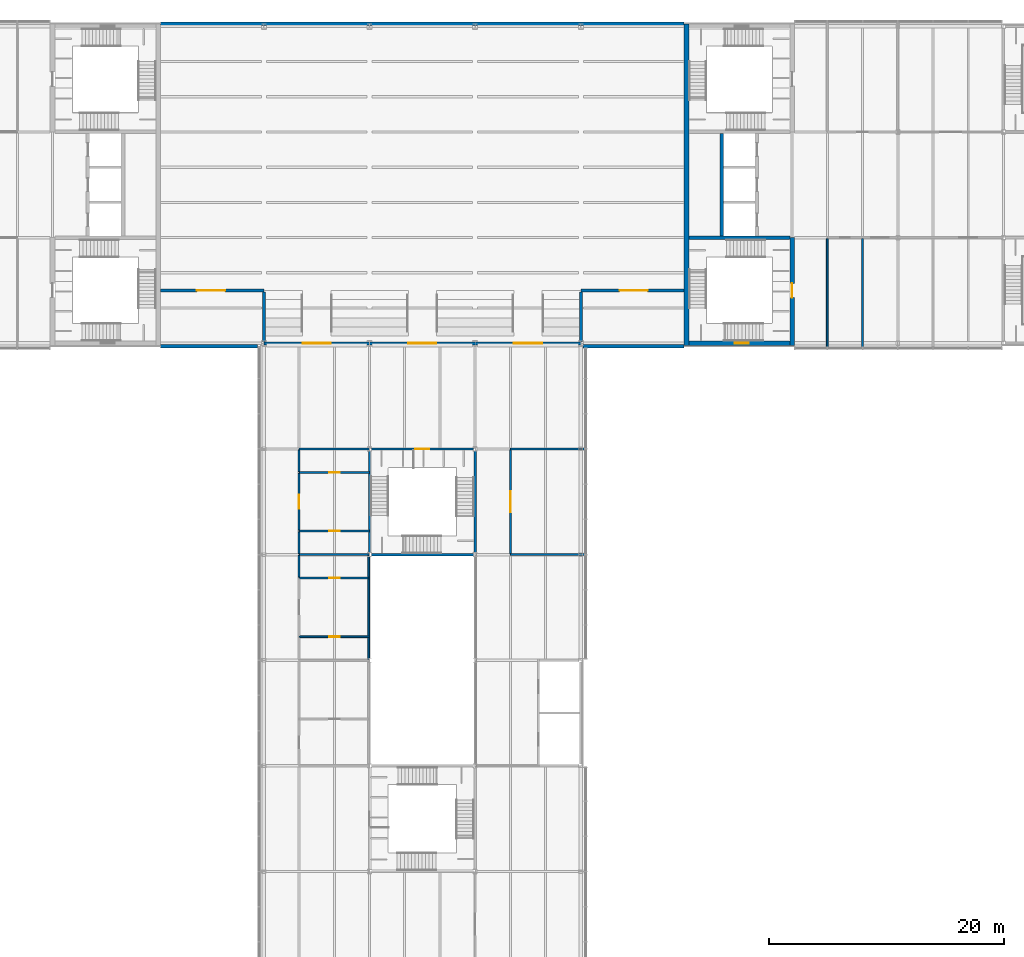
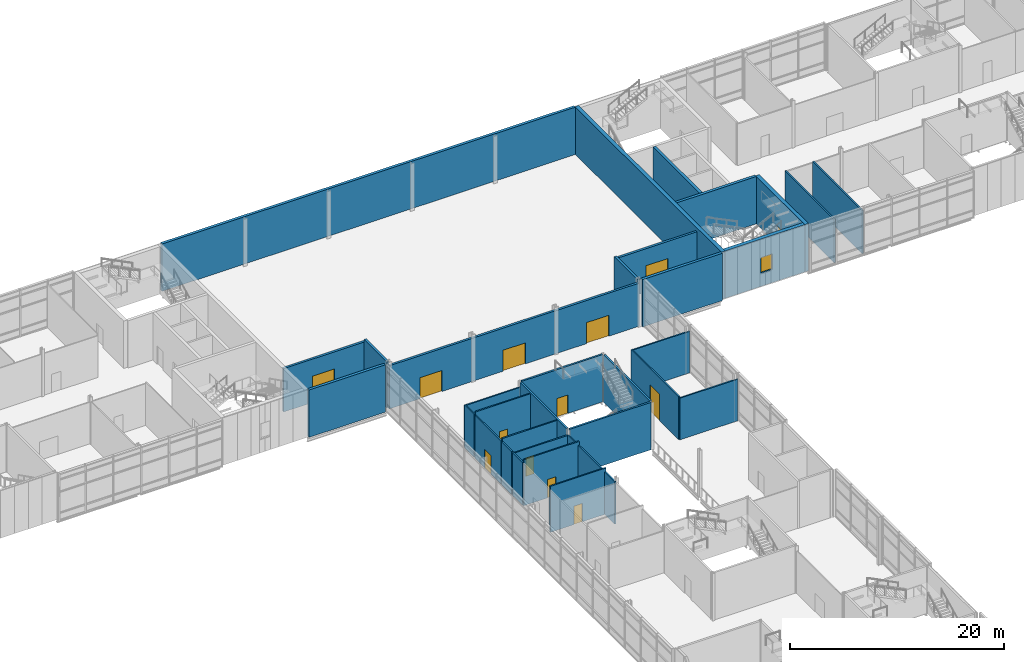
# One storey, part 37 of 52: 35 walls, 13 doors, 1 window, 14 openings.
"""IFC4 building model written with IfcOpenShell, lengths in metres."""

from ifc_helpers import new_model, si_unit, direction, frame, frame_2d, origin, place, context, subcontext, project, spatial, rectangle, extrude, material, layer, layer_set, type_object, element, fill, save


model = new_model("IFC4")

# Units and contexts
model_context = context("Model", 3, precision=1e-05, world=origin(), true_north=direction((0.0, 1.0)))
body_context = subcontext(model_context, "Body", "Model", "MODEL_VIEW")
ifc_project = project(units=[si_unit("LENGTHUNIT", "METRE"), si_unit("AREAUNIT", "SQUARE_METRE"), si_unit("VOLUMEUNIT", "CUBIC_METRE"), si_unit("PLANEANGLEUNIT", "RADIAN"), si_unit("MASSUNIT", "GRAM", prefix="KILO")], contexts=[model_context])

# Site, building, storey
site_placement = place(None, origin())
site = spatial("IfcSite", under=ifc_project, at=site_placement, CompositionType="ELEMENT")
building_placement = place(site_placement, origin())
building = spatial("IfcBuilding", under=site, at=building_placement, Name="Azimuth Sports and Learning Centre", CompositionType="ELEMENT")
storey_placement = place(building_placement, frame((0.0, 0.0, 16.199951171875)))
storey = spatial("IfcBuildingStorey", under=building, at=storey_placement, Name="L03", CompositionType="ELEMENT", Elevation=16.199951171875)

# Walls
ifc_material_1 = material(Name="Insulated cladding wall")
ifc_layer_1 = layer(ifc_material_1, 0.300048828125)
ifc_layer_set_1 = layer_set([ifc_layer_1], Name="Insulated cladding wall")
wall_type_1 = type_object("IfcWallType", Name="Hall cladding wall 300", PredefinedType="SOLIDWALL", material=ifc_layer_set_1)
wall_1_placement = place(storey_placement, frame((63.199951171875, 89.760009765625, 0.0), z_axis=(0.0, 0.0, 1.0), x_axis=(1.0, 0.0, 0.0)))
element("IfcWall", 1, at=wall_1_placement, inside=storey, type_object=wall_type_1, Name="Hall wall S-HALL W L03", PredefinedType="SOLIDWALL", context=body_context, shape_type="SweptSolid", body=[
    extrude(rectangle(XDim=8.260009765625, YDim=0.300048828125, at=frame_2d((4.1298828125, 0.0))), origin(), (0.0, 0.0, 1.0), 5.400146484375),
])
wall_2_placement = place(storey_placement, frame((99.199951171875, 89.760009765625, 0.0), z_axis=(0.0, 0.0, 1.0), x_axis=(1.0, 0.0, 0.0)))
element("IfcWall", 2, at=wall_2_placement, inside=storey, type_object=wall_type_1, Name="Hall wall S-HALL E L03", PredefinedType="SOLIDWALL", context=body_context, shape_type="SweptSolid", body=[
    extrude(rectangle(XDim=8.60009765625, YDim=0.300048828125, at=frame_2d((4.300048828125, 0.0))), origin(), (0.0, 0.0, 1.0), 5.400146484375),
])
wall_3_placement = place(storey_placement, frame((107.800048828125, 117.239990234375, 0.0), z_axis=(0.0, 0.0, 1.0), x_axis=(-1.0, 0.0, 0.0)))
element("IfcWall", 3, at=wall_3_placement, inside=storey, type_object=wall_type_1, Name="Hall wall N-HALL L03", PredefinedType="SOLIDWALL", context=body_context, shape_type="SweptSolid", body=[
    extrude(rectangle(XDim=44.60009765625, YDim=0.300048828125, at=frame_2d((22.300048828125, 0.0))), origin(), (0.0, 0.0, 1.0), 5.400146484375),
])

# Wall, openings, doors
ifc_material_2 = material(Name="Reinforced masonry blockwork", Category="masonry")
ifc_layer_2 = layer(ifc_material_2, 0.25)
ifc_layer_set_2 = layer_set([ifc_layer_2], Name="Reinforced masonry blockwork")
wall_type_2 = type_object("IfcWallType", Name="Hall wall 250 EI 60", PredefinedType="SOLIDWALL", material=ifc_layer_set_2)
wall_4_placement = place(storey_placement, frame((72.0, 90.0, 0.0), z_axis=(0.0, 0.0, 1.0), x_axis=(1.0, 0.0, 0.0)))
wall_4 = element("IfcWall", 4, at=wall_4_placement, inside=storey, type_object=wall_type_2, Name="Hall wall 250 EI 60", PredefinedType="SOLIDWALL", context=body_context, shape_type="SweptSolid", body=[
    extrude(rectangle(XDim=27.0, YDim=0.25, at=frame_2d((13.5, 0.0))), origin(), (0.0, 0.0, 1.0), 4.920166015625),
])
opening_1_placement = place(wall_4_placement, frame((3.300048828125, 0.0, 0.0)))
opening_1 = element("IfcOpeningElement", 5, at=opening_1_placement, cuts=wall_4, Name="Opening D03-066", PredefinedType="OPENING", context=body_context, shape_type="SweptSolid", body=[
    extrude(rectangle(XDim=2.39990234375, YDim=2.39990234375, at=frame_2d((1.199951171875, 1.199951171875))), frame((0.0, 0.135986328125, 0.0), z_axis=(0.0, -1.0, 0.0), x_axis=(1.0, 0.0, 0.0)), (0.0, 0.0, 1.0), 0.27197265625),
])
opening_2_placement = place(wall_4_placement, frame((12.300048828125, 0.0, 0.0)))
opening_2 = element("IfcOpeningElement", 6, at=opening_2_placement, cuts=wall_4, Name="Opening D03-067", PredefinedType="OPENING", context=body_context, shape_type="SweptSolid", body=[
    extrude(rectangle(XDim=2.39990234375, YDim=2.39990234375, at=frame_2d((1.199951171875, 1.199951171875))), frame((0.0, 0.135986328125, 0.0), z_axis=(0.0, -1.0, 0.0), x_axis=(1.0, 0.0, 0.0)), (0.0, 0.0, 1.0), 0.27197265625),
])
opening_3_placement = place(wall_4_placement, frame((21.300048828125, 0.0, 0.0)))
opening_3 = element("IfcOpeningElement", 7, at=opening_3_placement, cuts=wall_4, Name="Opening D03-068", PredefinedType="OPENING", context=body_context, shape_type="SweptSolid", body=[
    extrude(rectangle(XDim=2.39990234375, YDim=2.39990234375, at=frame_2d((1.199951171875, 1.199951171875))), frame((0.0, 0.135986328125, 0.0), z_axis=(0.0, -1.0, 0.0), x_axis=(1.0, 0.0, 0.0)), (0.0, 0.0, 1.0), 0.27197265625),
])
ifc_material_3 = material(Name="Steel fire door set", Category="steel")
door_type_1 = type_object("IfcDoorType", Name="Steel door double 2400x2400 FD60", OperationType="DOUBLE_DOOR_SINGLE_SWING", PredefinedType="DOOR", material=ifc_material_3)
door_1_placement = place(opening_1_placement, frame((2.39990234375, 0.0, 0.0), z_axis=(0.0, 0.0, 1.0), x_axis=(-1.0, 0.0, 0.0)))
door_1 = element("IfcDoor", 8, at=door_1_placement, inside=storey, type_object=door_type_1, Name="Door D03-066", OperationType="DOUBLE_DOOR_SINGLE_SWING", OverallHeight=2.39990234375, OverallWidth=2.39990234375, PredefinedType="DOOR", context=body_context, shape_type="SweptSolid", body=[
    extrude(rectangle(XDim=2.39990234375, YDim=2.39990234375, at=frame_2d((1.199951171875, 1.199951171875))), frame((0.0, 0.02490234375, 0.0), z_axis=(0.0, -1.0, 0.0), x_axis=(1.0, 0.0, 0.0)), (0.0, 0.0, 1.0), 0.050048828125),
])
fill(opening_1, door_1)
door_2_placement = place(opening_2_placement, frame((2.39990234375, 0.0, 0.0), z_axis=(0.0, 0.0, 1.0), x_axis=(-1.0, 0.0, 0.0)))
door_2 = element("IfcDoor", 9, at=door_2_placement, inside=storey, type_object=door_type_1, Name="Door D03-067", OperationType="DOUBLE_DOOR_SINGLE_SWING", OverallHeight=2.39990234375, OverallWidth=2.39990234375, PredefinedType="DOOR", context=body_context, shape_type="SweptSolid", body=[
    extrude(rectangle(XDim=2.39990234375, YDim=2.39990234375, at=frame_2d((1.199951171875, 1.199951171875))), frame((0.0, 0.02490234375, 0.0), z_axis=(0.0, -1.0, 0.0), x_axis=(1.0, 0.0, 0.0)), (0.0, 0.0, 1.0), 0.050048828125),
])
fill(opening_2, door_2)
door_3_placement = place(opening_3_placement, frame((2.39990234375, 0.0, 0.0), z_axis=(0.0, 0.0, 1.0), x_axis=(-1.0, 0.0, 0.0)))
door_3 = element("IfcDoor", 10, at=door_3_placement, inside=storey, type_object=door_type_1, Name="Door D03-068", OperationType="DOUBLE_DOOR_SINGLE_SWING", OverallHeight=2.39990234375, OverallWidth=2.39990234375, PredefinedType="DOOR", context=body_context, shape_type="SweptSolid", body=[
    extrude(rectangle(XDim=2.39990234375, YDim=2.39990234375, at=frame_2d((1.199951171875, 1.199951171875))), frame((0.0, 0.02490234375, 0.0), z_axis=(0.0, -1.0, 0.0), x_axis=(1.0, 0.0, 0.0)), (0.0, 0.0, 1.0), 0.050048828125),
])
fill(opening_3, door_3)

# Wall, opening, door
wall_5_placement = place(storey_placement, frame((63.199951171875, 94.5, 0.0), z_axis=(0.0, 0.0, 1.0), x_axis=(1.0, 0.0, 0.0)))
wall_5 = element("IfcWall", 11, at=wall_5_placement, inside=storey, type_object=wall_type_2, Name="Hall wall 250 EI 60", PredefinedType="SOLIDWALL", context=body_context, shape_type="SweptSolid", body=[
    extrude(rectangle(XDim=8.800048828125, YDim=0.25, at=frame_2d((4.39990234375, 0.0))), origin(), (0.0, 0.0, 1.0), 4.949951171875),
])
opening_4_placement = place(wall_5_placement, frame((3.10009765625, 0.0, 0.0)))
opening_4 = element("IfcOpeningElement", 12, at=opening_4_placement, cuts=wall_5, Name="Opening D03-072", PredefinedType="OPENING", context=body_context, shape_type="SweptSolid", body=[
    extrude(rectangle(XDim=2.39990234375, YDim=3.0, at=frame_2d((1.199951171875, 1.5))), frame((0.0, 0.135986328125, 0.0), z_axis=(0.0, -1.0, 0.0), x_axis=(1.0, 0.0, 0.0)), (0.0, 0.0, 1.0), 0.27197265625),
])
ifc_material_4 = material(Name="Timber fire door set", Category="wood")
door_type_2 = type_object("IfcDoorType", Name="Timber door double 2400x3000 FD60", OperationType="DOUBLE_DOOR_SINGLE_SWING", PredefinedType="DOOR", material=ifc_material_4)
door_4_placement = place(opening_4_placement, frame((2.39990234375, 0.0, 0.0), z_axis=(0.0, 0.0, 1.0), x_axis=(-1.0, 0.0, 0.0)))
door_4 = element("IfcDoor", 13, at=door_4_placement, inside=storey, type_object=door_type_2, Name="Door D03-072", OperationType="DOUBLE_DOOR_SINGLE_SWING", OverallHeight=3.0, OverallWidth=2.39990234375, PredefinedType="DOOR", context=body_context, shape_type="SweptSolid", body=[
    extrude(rectangle(XDim=2.39990234375, YDim=3.0, at=frame_2d((1.199951171875, 1.5))), frame((0.0, 0.02490234375, 0.0), z_axis=(0.0, -1.0, 0.0), x_axis=(1.0, 0.0, 0.0)), (0.0, 0.0, 1.0), 0.050048828125),
])
fill(opening_4, door_4)

wall_6_placement = place(storey_placement, frame((99.0, 94.5, 0.0), z_axis=(0.0, 0.0, 1.0), x_axis=(1.0, 0.0, 0.0)))
wall_6 = element("IfcWall", 14, at=wall_6_placement, inside=storey, type_object=wall_type_2, Name="Hall wall 250 EI 60", PredefinedType="SOLIDWALL", context=body_context, shape_type="SweptSolid", body=[
    extrude(rectangle(XDim=8.800048828125, YDim=0.25, at=frame_2d((4.39990234375, 0.0))), origin(), (0.0, 0.0, 1.0), 4.949951171875),
])
opening_5_placement = place(wall_6_placement, frame((3.300048828125, 0.0, 0.0)))
opening_5 = element("IfcOpeningElement", 15, at=opening_5_placement, cuts=wall_6, Name="Opening D03-073", PredefinedType="OPENING", context=body_context, shape_type="SweptSolid", body=[
    extrude(rectangle(XDim=2.39990234375, YDim=3.0, at=frame_2d((1.199951171875, 1.5))), frame((0.0, 0.135986328125, 0.0), z_axis=(0.0, -1.0, 0.0), x_axis=(1.0, 0.0, 0.0)), (0.0, 0.0, 1.0), 0.27197265625),
])
door_5_placement = place(opening_5_placement, frame((2.39990234375, 0.0, 0.0), z_axis=(0.0, 0.0, 1.0), x_axis=(-1.0, 0.0, 0.0)))
door_5 = element("IfcDoor", 16, at=door_5_placement, inside=storey, type_object=door_type_2, Name="Door D03-073", OperationType="DOUBLE_DOOR_SINGLE_SWING", OverallHeight=3.0, OverallWidth=2.39990234375, PredefinedType="DOOR", context=body_context, shape_type="SweptSolid", body=[
    extrude(rectangle(XDim=2.39990234375, YDim=3.0, at=frame_2d((1.199951171875, 1.5))), frame((0.0, 0.02490234375, 0.0), z_axis=(0.0, -1.0, 0.0), x_axis=(1.0, 0.0, 0.0)), (0.0, 0.0, 1.0), 0.050048828125),
])
fill(opening_5, door_5)

# Walls
for number, where, z_axis, x_axis, name in (
    (17, (72.0, 90.125, 0.0), (0.0, 0.0, 1.0), (0.0, 1.0, 0.0), "Hall wall 250 EI 60"),
    (18, (99.0, 90.125, 0.0), (0.0, 0.0, 1.0), (0.0, 1.0, 0.0), "Hall wall 250 EI 60"),
):
    element("IfcWall", number, at=place(storey_placement, frame(where, z_axis=z_axis, x_axis=x_axis)), inside=storey, type_object=wall_type_2, Name=name, PredefinedType="SOLIDWALL", context=body_context, shape_type="SweptSolid", body=[
        extrude(rectangle(XDim=4.25, YDim=0.25, at=frame_2d((2.125, 0.0))), origin(), (0.0, 0.0, 1.0), 5.25),
    ])

# Wall, opening, door
ifc_material_5 = material(Name="Lightweight blockwork, rendered", Category="masonry")
ifc_layer_3 = layer(ifc_material_5, 0.14990234375)
ifc_layer_set_3 = layer_set([ifc_layer_3], Name="Lightweight blockwork, rendered")
wall_type_3 = type_object("IfcWallType", Name="Partition 150 EI 60", PredefinedType="PARTITIONING", material=ifc_layer_set_3)
wall_7_placement = place(storey_placement, frame((75.0, 65.0, 0.0), z_axis=(0.0, 0.0, 1.0), x_axis=(1.0, 0.0, 0.0)))
wall_7 = element("IfcWall", 19, at=wall_7_placement, inside=storey, type_object=wall_type_3, Name="Partition 150 EI 60", PredefinedType="PARTITIONING", context=body_context, shape_type="SweptSolid", body=[
    extrude(rectangle(XDim=6.0, YDim=0.14990234375, at=frame_2d((3.0, 0.0))), origin(), (0.0, 0.0, 1.0), 5.25),
])
opening_6_placement = place(wall_7_placement, frame((2.550048828125, 0.0, 0.0)))
opening_6 = element("IfcOpeningElement", 20, at=opening_6_placement, cuts=wall_7, Name="Opening D03-059", PredefinedType="OPENING", context=body_context, shape_type="SweptSolid", body=[
    extrude(rectangle(XDim=0.89990234375, YDim=2.10009765625, at=frame_2d((0.449951171875, 1.050048828125))), frame((0.0, 0.0859375, 0.0), z_axis=(0.0, -1.0, 0.0), x_axis=(1.0, 0.0, 0.0)), (0.0, 0.0, 1.0), 0.171875),
])
ifc_material_6 = material(Name="Timber fire door set", Category="wood")
door_type_3 = type_object("IfcDoorType", Name="Timber door single 900x2100 FD60", OperationType="NOTDEFINED", PredefinedType="DOOR", material=ifc_material_6)
door_6_placement = place(opening_6_placement, frame((0.89990234375, 0.0, 0.0), z_axis=(0.0, 0.0, 1.0), x_axis=(-1.0, 0.0, 0.0)))
door_6 = element("IfcDoor", 21, at=door_6_placement, inside=storey, type_object=door_type_3, Name="Door D03-059", OperationType="SINGLE_SWING_LEFT", OverallHeight=2.10009765625, OverallWidth=0.89990234375, PredefinedType="DOOR", context=body_context, shape_type="SweptSolid", body=[
    extrude(rectangle(XDim=0.89990234375, YDim=2.10009765625, at=frame_2d((0.449951171875, 1.050048828125))), frame((0.0, 0.02490234375, 0.0), z_axis=(0.0, -1.0, 0.0), x_axis=(1.0, 0.0, 0.0)), (0.0, 0.0, 1.0), 0.050048828125),
])
fill(opening_6, door_6)

wall_8_placement = place(storey_placement, frame((75.0, 70.0, 0.0), z_axis=(0.0, 0.0, 1.0), x_axis=(1.0, 0.0, 0.0)))
wall_8 = element("IfcWall", 22, at=wall_8_placement, inside=storey, type_object=wall_type_3, Name="Partition 150 EI 60", PredefinedType="PARTITIONING", context=body_context, shape_type="SweptSolid", body=[
    extrude(rectangle(XDim=6.0, YDim=0.14990234375, at=frame_2d((3.0, 0.0))), origin(), (0.0, 0.0, 1.0), 5.25),
])
opening_7_placement = place(wall_8_placement, frame((2.550048828125, 0.0, 0.0)))
opening_7 = element("IfcOpeningElement", 23, at=opening_7_placement, cuts=wall_8, Name="Opening D03-061", PredefinedType="OPENING", context=body_context, shape_type="SweptSolid", body=[
    extrude(rectangle(XDim=0.89990234375, YDim=2.10009765625, at=frame_2d((0.449951171875, 1.050048828125))), frame((0.0, 0.0859375, 0.0), z_axis=(0.0, -1.0, 0.0), x_axis=(1.0, 0.0, 0.0)), (0.0, 0.0, 1.0), 0.171875),
])
door_7_placement = place(opening_7_placement, origin())
door_7 = element("IfcDoor", 24, at=door_7_placement, inside=storey, type_object=door_type_3, Name="Door D03-061", OperationType="SINGLE_SWING_RIGHT", OverallHeight=2.10009765625, OverallWidth=0.89990234375, PredefinedType="DOOR", context=body_context, shape_type="SweptSolid", body=[
    extrude(rectangle(XDim=0.89990234375, YDim=2.10009765625, at=frame_2d((0.449951171875, 1.050048828125))), frame((0.0, 0.02490234375, 0.0), z_axis=(0.0, -1.0, 0.0), x_axis=(1.0, 0.0, 0.0)), (0.0, 0.0, 1.0), 0.050048828125),
])
fill(opening_7, door_7)

# Walls
wall_9_placement = place(storey_placement, frame((75.0, 72.0, 0.0), z_axis=(0.0, 0.0, 1.0), x_axis=(1.0, 0.0, 0.0)))
element("IfcWall", 25, at=wall_9_placement, inside=storey, type_object=wall_type_3, Name="Partition 150 EI 60", PredefinedType="PARTITIONING", context=body_context, shape_type="SweptSolid", body=[
    extrude(rectangle(XDim=6.0, YDim=0.14990234375, at=frame_2d((3.0, 0.0))), origin(), (0.0, 0.0, 1.0), 4.75),
])
wall_10_placement = place(storey_placement, frame((93.0, 72.0, 0.0), z_axis=(0.0, 0.0, 1.0), x_axis=(1.0, 0.0, 0.0)))
element("IfcWall", 26, at=wall_10_placement, inside=storey, type_object=wall_type_3, Name="Partition 150 EI 60", PredefinedType="PARTITIONING", context=body_context, shape_type="SweptSolid", body=[
    extrude(rectangle(XDim=6.300048828125, YDim=0.14990234375, at=frame_2d((3.14990234375, 0.0))), origin(), (0.0, 0.0, 1.0), 4.75),
])

# Wall, opening, door
wall_11_placement = place(storey_placement, frame((75.0, 74.0, 0.0), z_axis=(0.0, 0.0, 1.0), x_axis=(1.0, 0.0, 0.0)))
wall_11 = element("IfcWall", 27, at=wall_11_placement, inside=storey, type_object=wall_type_3, Name="Partition 150 EI 60", PredefinedType="PARTITIONING", context=body_context, shape_type="SweptSolid", body=[
    extrude(rectangle(XDim=6.0, YDim=0.14990234375, at=frame_2d((3.0, 0.0))), origin(), (0.0, 0.0, 1.0), 5.25),
])
opening_8_placement = place(wall_11_placement, frame((2.550048828125, 0.0, 0.0)))
opening_8 = element("IfcOpeningElement", 28, at=opening_8_placement, cuts=wall_11, Name="Opening D03-062", PredefinedType="OPENING", context=body_context, shape_type="SweptSolid", body=[
    extrude(rectangle(XDim=0.89990234375, YDim=2.10009765625, at=frame_2d((0.449951171875, 1.050048828125))), frame((0.0, 0.0859375, 0.0), z_axis=(0.0, -1.0, 0.0), x_axis=(1.0, 0.0, 0.0)), (0.0, 0.0, 1.0), 0.171875),
])
door_8_placement = place(opening_8_placement, frame((0.89990234375, 0.0, 0.0), z_axis=(0.0, 0.0, 1.0), x_axis=(-1.0, 0.0, 0.0)))
door_8 = element("IfcDoor", 29, at=door_8_placement, inside=storey, type_object=door_type_3, Name="Door D03-062", OperationType="SINGLE_SWING_RIGHT", OverallHeight=2.10009765625, OverallWidth=0.89990234375, PredefinedType="DOOR", context=body_context, shape_type="SweptSolid", body=[
    extrude(rectangle(XDim=0.89990234375, YDim=2.10009765625, at=frame_2d((0.449951171875, 1.050048828125))), frame((0.0, 0.02490234375, 0.0), z_axis=(0.0, -1.0, 0.0), x_axis=(1.0, 0.0, 0.0)), (0.0, 0.0, 1.0), 0.050048828125),
])
fill(opening_8, door_8)

wall_12_placement = place(storey_placement, frame((75.0, 79.0, 0.0), z_axis=(0.0, 0.0, 1.0), x_axis=(1.0, 0.0, 0.0)))
wall_12 = element("IfcWall", 30, at=wall_12_placement, inside=storey, type_object=wall_type_3, Name="Partition 150 EI 60", PredefinedType="PARTITIONING", context=body_context, shape_type="SweptSolid", body=[
    extrude(rectangle(XDim=6.0, YDim=0.14990234375, at=frame_2d((3.0, 0.0))), origin(), (0.0, 0.0, 1.0), 5.25),
])
opening_9_placement = place(wall_12_placement, frame((2.550048828125, 0.0, 0.0)))
opening_9 = element("IfcOpeningElement", 31, at=opening_9_placement, cuts=wall_12, Name="Opening D03-064", PredefinedType="OPENING", context=body_context, shape_type="SweptSolid", body=[
    extrude(rectangle(XDim=0.89990234375, YDim=2.10009765625, at=frame_2d((0.449951171875, 1.050048828125))), frame((0.0, 0.0859375, 0.0), z_axis=(0.0, -1.0, 0.0), x_axis=(1.0, 0.0, 0.0)), (0.0, 0.0, 1.0), 0.171875),
])
door_9_placement = place(opening_9_placement, origin())
door_9 = element("IfcDoor", 32, at=door_9_placement, inside=storey, type_object=door_type_3, Name="Door D03-064", OperationType="SINGLE_SWING_LEFT", OverallHeight=2.10009765625, OverallWidth=0.89990234375, PredefinedType="DOOR", context=body_context, shape_type="SweptSolid", body=[
    extrude(rectangle(XDim=0.89990234375, YDim=2.10009765625, at=frame_2d((0.449951171875, 1.050048828125))), frame((0.0, 0.02490234375, 0.0), z_axis=(0.0, -1.0, 0.0), x_axis=(1.0, 0.0, 0.0)), (0.0, 0.0, 1.0), 0.050048828125),
])
fill(opening_9, door_9)

# Walls
wall_13_placement = place(storey_placement, frame((75.0, 81.0, 0.0), z_axis=(0.0, 0.0, 1.0), x_axis=(1.0, 0.0, 0.0)))
element("IfcWall", 33, at=wall_13_placement, inside=storey, type_object=wall_type_3, Name="Partition 150 EI 60", PredefinedType="PARTITIONING", context=body_context, shape_type="SweptSolid", body=[
    extrude(rectangle(XDim=6.0, YDim=0.14990234375, at=frame_2d((3.0, 0.0))), origin(), (0.0, 0.0, 1.0), 4.75),
])
wall_14_placement = place(storey_placement, frame((93.0, 81.0, 0.0), z_axis=(0.0, 0.0, 1.0), x_axis=(1.0, 0.0, 0.0)))
element("IfcWall", 34, at=wall_14_placement, inside=storey, type_object=wall_type_3, Name="Partition 150 EI 60", PredefinedType="PARTITIONING", context=body_context, shape_type="SweptSolid", body=[
    extrude(rectangle(XDim=6.300048828125, YDim=0.14990234375, at=frame_2d((3.14990234375, 0.0))), origin(), (0.0, 0.0, 1.0), 4.75),
])
for number, where, z_axis, x_axis, name in (
    (35, (75.0, 70.074951171875, 0.0), (0.0, 0.0, 1.0), (0.0, 1.0, 0.0), "Partition 150 EI 60"),
    (36, (75.0, 72.074951171875, 0.0), (0.0, 0.0, 1.0), (0.0, 1.0, 0.0), "Partition 150 EI 60"),
):
    element("IfcWall", number, at=place(storey_placement, frame(where, z_axis=z_axis, x_axis=x_axis)), inside=storey, type_object=wall_type_3, Name=name, PredefinedType="PARTITIONING", context=body_context, shape_type="SweptSolid", body=[
        extrude(rectangle(XDim=1.85009765625, YDim=0.14990234375, at=frame_2d((0.925048828125, 0.0))), origin(), (0.0, 0.0, 1.0), 4.89013671875),
    ])

# Wall, opening, door
wall_15_placement = place(storey_placement, frame((75.0, 74.074951171875, 0.0), z_axis=(0.0, 0.0, 1.0), x_axis=(0.0, 1.0, 0.0)))
wall_15 = element("IfcWall", 37, at=wall_15_placement, inside=storey, type_object=wall_type_3, Name="Partition 150 EI 60", PredefinedType="PARTITIONING", context=body_context, shape_type="SweptSolid", body=[
    extrude(rectangle(XDim=4.85009765625, YDim=0.14990234375, at=frame_2d((2.425048828125, 0.0))), origin(), (0.0, 0.0, 1.0), 4.89013671875),
])
opening_10_placement = place(wall_15_placement, frame((1.824951171875, 0.0, 0.0)))
opening_10 = element("IfcOpeningElement", 38, at=opening_10_placement, cuts=wall_15, Name="Opening D03-063", PredefinedType="OPENING", context=body_context, shape_type="SweptSolid", body=[
    extrude(rectangle(XDim=1.199951171875, YDim=2.10009765625, at=frame_2d((0.60009765625, 1.050048828125))), frame((0.0, 0.0859375, 0.0), z_axis=(0.0, -1.0, 0.0), x_axis=(1.0, 0.0, 0.0)), (0.0, 0.0, 1.0), 0.171875),
])
ifc_material_7 = material(Name="Timber fire door set", Category="wood")
door_type_4 = type_object("IfcDoorType", Name="Timber door single 1200x2100 FD60", OperationType="NOTDEFINED", PredefinedType="DOOR", material=ifc_material_7)
door_10_placement = place(opening_10_placement, frame((1.199951171875, 0.0, 0.0), z_axis=(0.0, 0.0, 1.0), x_axis=(-1.0, 0.0, 0.0)))
door_10 = element("IfcDoor", 39, at=door_10_placement, inside=storey, type_object=door_type_4, Name="Door D03-063", OperationType="SINGLE_SWING_LEFT", OverallHeight=2.10009765625, OverallWidth=1.199951171875, PredefinedType="DOOR", context=body_context, shape_type="SweptSolid", body=[
    extrude(rectangle(XDim=1.199951171875, YDim=2.10009765625, at=frame_2d((0.60009765625, 1.050048828125))), frame((0.0, 0.02490234375, 0.0), z_axis=(0.0, -1.0, 0.0), x_axis=(1.0, 0.0, 0.0)), (0.0, 0.0, 1.0), 0.050048828125),
])
fill(opening_10, door_10)

# Walls
wall_16_placement = place(storey_placement, frame((75.0, 79.074951171875, 0.0), z_axis=(0.0, 0.0, 1.0), x_axis=(0.0, 1.0, 0.0)))
element("IfcWall", 40, at=wall_16_placement, inside=storey, type_object=wall_type_3, Name="Partition 150 EI 60", PredefinedType="PARTITIONING", context=body_context, shape_type="SweptSolid", body=[
    extrude(rectangle(XDim=1.85009765625, YDim=0.14990234375, at=frame_2d((0.925048828125, 0.0))), origin(), (0.0, 0.0, 1.0), 4.89013671875),
])
wall_17_placement = place(storey_placement, frame((80.925048828125, 63.074951171875, 0.0), z_axis=(0.0, 0.0, 1.0), x_axis=(0.0, 1.0, 0.0)))
element("IfcWall", 41, at=wall_17_placement, inside=storey, type_object=wall_type_3, Name="Partition 150 EI 60", PredefinedType="PARTITIONING", context=body_context, shape_type="SweptSolid", body=[
    extrude(rectangle(XDim=1.85009765625, YDim=0.14990234375, at=frame_2d((0.925048828125, 0.0))), origin(), (0.0, 0.0, 1.0), 4.85009765625),
])
wall_18_placement = place(storey_placement, frame((80.925048828125, 65.074951171875, 0.0), z_axis=(0.0, 0.0, 1.0), x_axis=(0.0, 1.0, 0.0)))
element("IfcWall", 42, at=wall_18_placement, inside=storey, type_object=wall_type_3, Name="Partition 150 EI 60", PredefinedType="PARTITIONING", context=body_context, shape_type="SweptSolid", body=[
    extrude(rectangle(XDim=4.85009765625, YDim=0.14990234375, at=frame_2d((2.425048828125, 0.0))), origin(), (0.0, 0.0, 1.0), 4.85009765625),
])
wall_19_placement = place(storey_placement, frame((80.925048828125, 70.074951171875, 0.0), z_axis=(0.0, 0.0, 1.0), x_axis=(0.0, 1.0, 0.0)))
element("IfcWall", 43, at=wall_19_placement, inside=storey, type_object=wall_type_3, Name="Partition 150 EI 60", PredefinedType="PARTITIONING", context=body_context, shape_type="SweptSolid", body=[
    extrude(rectangle(XDim=1.85009765625, YDim=0.14990234375, at=frame_2d((0.925048828125, 0.0))), origin(), (0.0, 0.0, 1.0), 4.85009765625),
])

# Wall, opening, door
wall_20_placement = place(storey_placement, frame((93.0, 72.074951171875, 0.0), z_axis=(0.0, 0.0, 1.0), x_axis=(0.0, 1.0, 0.0)))
wall_20 = element("IfcWall", 44, at=wall_20_placement, inside=storey, type_object=wall_type_3, Name="Partition 150 EI 60", PredefinedType="PARTITIONING", context=body_context, shape_type="SweptSolid", body=[
    extrude(rectangle(XDim=8.85009765625, YDim=0.14990234375, at=frame_2d((4.425048828125, 0.0))), origin(), (0.0, 0.0, 1.0), 4.89013671875),
])
opening_11_placement = place(wall_20_placement, frame((3.52490234375, 0.0, 0.0)))
opening_11 = element("IfcOpeningElement", 45, at=opening_11_placement, cuts=wall_20, Name="Opening D03-065", PredefinedType="OPENING", context=body_context, shape_type="SweptSolid", body=[
    extrude(rectangle(XDim=1.800048828125, YDim=3.0, at=frame_2d((0.89990234375, 1.5))), frame((0.0, 0.0859375, 0.0), z_axis=(0.0, -1.0, 0.0), x_axis=(1.0, 0.0, 0.0)), (0.0, 0.0, 1.0), 0.171875),
])
ifc_material_8 = material(Name="Timber fire door set", Category="wood")
door_type_5 = type_object("IfcDoorType", Name="Timber door double 1800x3000 FD60", OperationType="DOUBLE_DOOR_SINGLE_SWING", PredefinedType="DOOR", material=ifc_material_8)
door_11_placement = place(opening_11_placement, frame((1.800048828125, 0.0, 0.0), z_axis=(0.0, 0.0, 1.0), x_axis=(-1.0, 0.0, 0.0)))
door_11 = element("IfcDoor", 46, at=door_11_placement, inside=storey, type_object=door_type_5, Name="Door D03-065", OperationType="DOUBLE_DOOR_SINGLE_SWING", OverallHeight=3.0, OverallWidth=1.800048828125, PredefinedType="DOOR", context=body_context, shape_type="SweptSolid", body=[
    extrude(rectangle(XDim=1.800048828125, YDim=3.0, at=frame_2d((0.89990234375, 1.5))), frame((0.0, 0.02490234375, 0.0), z_axis=(0.0, -1.0, 0.0), x_axis=(1.0, 0.0, 0.0)), (0.0, 0.0, 1.0), 0.050048828125),
])
fill(opening_11, door_11)

# Walls
for number, where, z_axis, x_axis, name in (
    (47, (120.0, 89.699951171875, 0.0), (0.0, 0.0, 1.0), (0.0, 1.0, 0.0), "Partition 150 EI 60"),
    (48, (123.0, 89.699951171875, 0.0), (0.0, 0.0, 1.0), (0.0, 1.0, 0.0), "Partition 150 EI 60"),
):
    element("IfcWall", number, at=place(storey_placement, frame(where, z_axis=z_axis, x_axis=x_axis)), inside=storey, type_object=wall_type_3, Name=name, PredefinedType="PARTITIONING", context=body_context, shape_type="SweptSolid", body=[
        extrude(rectangle(XDim=9.22509765625, YDim=0.14990234375, at=frame_2d((4.612548828125, 0.0))), origin(), (0.0, 0.0, 1.0), 4.920166015625),
    ])
ifc_material_9 = material(Name="Concrete C40/50", Category="concrete")
ifc_layer_4 = layer(ifc_material_9, 0.199951171875)
ifc_layer_set_4 = layer_set([ifc_layer_4], Name="Concrete C40/50")
wall_type_4 = type_object("IfcWallType", Name="RC cell wall 200 EI 120", PredefinedType="SHEAR", material=ifc_layer_set_4)
wall_21_placement = place(storey_placement, frame((81.14990234375, 72.0, 0.0), z_axis=(0.0, 0.0, 1.0), x_axis=(1.0, 0.0, 0.0)))
element("IfcWall", 49, at=wall_21_placement, inside=storey, type_object=wall_type_4, Name="CE-STD-S-L03", PredefinedType="SHEAR", context=body_context, shape_type="SweptSolid", body=[
    extrude(rectangle(XDim=8.7001953125, YDim=0.199951171875, at=frame_2d((4.35009765625, 0.0))), origin(), (0.0, 0.0, 1.0), 5.400146484375),
])

# Wall, opening, door
wall_22_placement = place(storey_placement, frame((81.14990234375, 81.0, 0.0), z_axis=(0.0, 0.0, 1.0), x_axis=(1.0, 0.0, 0.0)))
wall_22 = element("IfcWall", 50, at=wall_22_placement, inside=storey, type_object=wall_type_4, Name="CE-STD-N-L03", PredefinedType="SHEAR", context=body_context, shape_type="SweptSolid", body=[
    extrude(rectangle(XDim=8.7001953125, YDim=0.199951171875, at=frame_2d((4.35009765625, 0.0))), origin(), (0.0, 0.0, 1.0), 5.400146484375),
])
opening_12_placement = place(wall_22_placement, frame((3.75, 0.0, 0.0)))
opening_12 = element("IfcOpeningElement", 51, at=opening_12_placement, cuts=wall_22, Name="Opening D03-018", PredefinedType="OPENING", context=body_context, shape_type="SweptSolid", body=[
    extrude(rectangle(XDim=1.199951171875, YDim=2.10009765625, at=frame_2d((0.60009765625, 1.050048828125))), frame((0.0, 0.11083984375, 0.0), z_axis=(0.0, -1.0, 0.0), x_axis=(1.0, 0.0, 0.0)), (0.0, 0.0, 1.0), 0.221923828125),
])
ifc_material_10 = material(Name="Steel", Category="steel")
door_type_6 = type_object("IfcDoorType", Name="Stair fire door 1200 x 2100", OperationType="NOTDEFINED", PredefinedType="DOOR", material=ifc_material_10)
door_12_placement = place(opening_12_placement, origin())
door_12 = element("IfcDoor", 52, at=door_12_placement, inside=storey, type_object=door_type_6, Name="Stair door STD L03", OperationType="SINGLE_SWING_RIGHT", OverallHeight=2.10009765625, OverallWidth=1.199951171875, PredefinedType="DOOR", context=body_context, shape_type="SweptSolid", body=[
    extrude(rectangle(XDim=1.199951171875, YDim=2.10009765625, at=frame_2d((0.60009765625, 1.050048828125))), frame((0.0, 0.02490234375, 0.0), z_axis=(0.0, -1.0, 0.0), x_axis=(1.0, 0.0, 0.0)), (0.0, 0.0, 1.0), 0.050048828125),
])
fill(opening_12, door_12)

# Walls
for number, where, z_axis, x_axis, name in (
    (53, (81.0, 72.179931640625, 0.0), (0.0, 0.0, 1.0), (0.0, 1.0, 0.0), "CE-STD-W-L03"),
    (54, (90.0, 72.179931640625, 0.0), (0.0, 0.0, 1.0), (0.0, 1.0, 0.0), "CE-STD-E-L03"),
):
    element("IfcWall", number, at=place(storey_placement, frame(where, z_axis=z_axis, x_axis=x_axis)), inside=storey, type_object=wall_type_4, Name=name, PredefinedType="SHEAR", context=body_context, shape_type="SweptSolid", body=[
        extrude(rectangle(XDim=8.64013671875, YDim=0.199951171875, at=frame_2d((4.320068359375, 0.0))), origin(), (0.0, 0.0, 1.0), 5.400146484375),
    ])
ifc_material_11 = material(Name="Concrete C40/50", Category="concrete")
ifc_layer_5 = layer(ifc_material_11, 0.300048828125)
ifc_layer_set_5 = layer_set([ifc_layer_5], Name="Concrete C40/50")
wall_type_5 = type_object("IfcWallType", Name="RC core wall 300", PredefinedType="SHEAR", material=ifc_layer_set_5)
wall_23_placement = place(storey_placement, frame((108.199951171875, 99.0, 0.0), z_axis=(0.0, 0.0, 1.0), x_axis=(1.0, 0.0, 0.0)))
element("IfcWall", 55, at=wall_23_placement, inside=storey, type_object=wall_type_5, Name="Core wall E D1 L03", PredefinedType="SHEAR", context=body_context, shape_type="SweptSolid", body=[
    extrude(rectangle(XDim=8.60009765625, YDim=0.300048828125, at=frame_2d((4.300048828125, 0.0))), origin(), (0.0, 0.0, 1.0), 5.400146484375),
])
wall_24_placement = place(storey_placement, frame((111.0, 99.14990234375, 0.0), z_axis=(0.0, 0.0, 1.0), x_axis=(0.0, 1.0, 0.0)))
element("IfcWall", 56, at=wall_24_placement, inside=storey, type_object=wall_type_5, Name="Core wall E LB1 L03", PredefinedType="SHEAR", context=body_context, shape_type="SweptSolid", body=[
    extrude(rectangle(XDim=8.7001953125, YDim=0.300048828125, at=frame_2d((4.35009765625, 0.0))), origin(), (0.0, 0.0, 1.0), 5.400146484375),
])
ifc_material_12 = material(Name="Concrete C40/50", Category="concrete")
ifc_layer_6 = layer(ifc_material_12, 0.39990234375)
ifc_layer_set_6 = layer_set([ifc_layer_6], Name="Concrete C40/50")
wall_type_6 = type_object("IfcWallType", Name="RC core wall 400", PredefinedType="SHEAR", material=ifc_layer_set_6)
wall_25_placement = place(storey_placement, frame((108.0, 89.800048828125, 0.0), z_axis=(0.0, 0.0, 1.0), x_axis=(0.0, 1.0, 0.0)))
element("IfcWall", 57, at=wall_25_placement, inside=storey, type_object=wall_type_6, Name="Core wall E W L03", PredefinedType="SHEAR", context=body_context, shape_type="SweptSolid", body=[
    extrude(rectangle(XDim=27.39990234375, YDim=0.39990234375, at=frame_2d((13.699951171875, 0.0))), origin(), (0.0, 0.0, 1.0), 5.400146484375),
])

# Wall, opening, door
wall_26_placement = place(storey_placement, frame((117.0, 89.800048828125, 0.0), z_axis=(0.0, 0.0, 1.0), x_axis=(0.0, 1.0, 0.0)))
wall_26 = element("IfcWall", 58, at=wall_26_placement, inside=storey, type_object=wall_type_6, Name="Core wall E ES L03", PredefinedType="SHEAR", context=body_context, shape_type="SweptSolid", body=[
    extrude(rectangle(XDim=9.199951171875, YDim=0.39990234375, at=frame_2d((4.60009765625, 0.0))), origin(), (0.0, 0.0, 1.0), 5.400146484375),
])
opening_13_placement = place(wall_26_placement, frame((4.10009765625, 0.0, 0.0)))
opening_13 = element("IfcOpeningElement", 59, at=opening_13_placement, cuts=wall_26, Name="Opening D03-003", PredefinedType="OPENING", context=body_context, shape_type="SweptSolid", body=[
    extrude(rectangle(XDim=1.199951171875, YDim=2.10009765625, at=frame_2d((0.60009765625, 1.050048828125))), frame((0.0, 0.2109375, 0.0), z_axis=(0.0, -1.0, 0.0), x_axis=(1.0, 0.0, 0.0)), (0.0, 0.0, 1.0), 0.421875),
])
door_13_placement = place(opening_13_placement, frame((1.199951171875, 0.0, 0.0), z_axis=(0.0, 0.0, 1.0), x_axis=(-1.0, 0.0, 0.0)))
door_13 = element("IfcDoor", 60, at=door_13_placement, inside=storey, type_object=door_type_6, Name="Stair door E1 L03", OperationType="SINGLE_SWING_LEFT", OverallHeight=2.10009765625, OverallWidth=1.199951171875, PredefinedType="DOOR", context=body_context, shape_type="SweptSolid", body=[
    extrude(rectangle(XDim=1.199951171875, YDim=2.10009765625, at=frame_2d((0.60009765625, 1.050048828125))), frame((0.0, 0.02490234375, 0.0), z_axis=(0.0, -1.0, 0.0), x_axis=(1.0, 0.0, 0.0)), (0.0, 0.0, 1.0), 0.050048828125),
])
fill(opening_13, door_13)

# Wall, opening, window
ifc_material_13 = material(Name="Concrete C40/50", Category="concrete")
ifc_layer_7 = layer(ifc_material_13, 0.39990234375)
ifc_layer_set_7 = layer_set([ifc_layer_7], Name="Concrete C40/50")
wall_type_7 = type_object("IfcWallType", Name="RC external core wall 400", PredefinedType="SHEAR", material=ifc_layer_set_7)
wall_27_placement = place(storey_placement, frame((108.199951171875, 90.0, 0.0), z_axis=(0.0, 0.0, 1.0), x_axis=(1.0, 0.0, 0.0)))
wall_27 = element("IfcWall", 61, at=wall_27_placement, inside=storey, type_object=wall_type_7, Name="Core wall E S L03", PredefinedType="SHEAR", context=body_context, shape_type="SweptSolid", body=[
    extrude(rectangle(XDim=8.60009765625, YDim=0.39990234375, at=frame_2d((4.300048828125, 0.0))), origin(), (0.0, 0.0, 1.0), 5.400146484375),
])
opening_14_placement = place(wall_27_placement, frame((3.89990234375, 0.0, 1.5)))
opening_14 = element("IfcOpeningElement", 62, at=opening_14_placement, cuts=wall_27, Name="Opening W03-003", PredefinedType="OPENING", context=body_context, shape_type="SweptSolid", body=[
    extrude(rectangle(XDim=1.199951171875, YDim=1.800048828125, at=frame_2d((0.60009765625, 0.89990234375))), frame((0.0, 0.2109375, 0.0), z_axis=(0.0, -1.0, 0.0), x_axis=(1.0, 0.0, 0.0)), (0.0, 0.0, 1.0), 0.421875),
])
ifc_material_14 = material(Name="Aluminium and glass", Category="aluminium")
window_type = type_object("IfcWindowType", Name="Stair window podium core 1200x1800", PartitioningType="SINGLE_PANEL", PredefinedType="WINDOW", material=ifc_material_14)
window_placement = place(opening_14_placement, origin())
window = element("IfcWindow", 63, at=window_placement, inside=storey, type_object=window_type, Name="Window W03-003", OverallHeight=1.800048828125, OverallWidth=1.199951171875, PartitioningType="SINGLE_PANEL", PredefinedType="WINDOW", context=body_context, shape_type="SweptSolid", body=[
    extrude(rectangle(XDim=1.199951171875, YDim=1.800048828125, at=frame_2d((0.60009765625, 0.89990234375))), frame((0.0, 0.030029296875, 0.0), z_axis=(0.0, -1.0, 0.0), x_axis=(1.0, 0.0, 0.0)), (0.0, 0.0, 1.0), 0.06005859375),
])
fill(opening_14, window)

save(model, "model.ifc")
